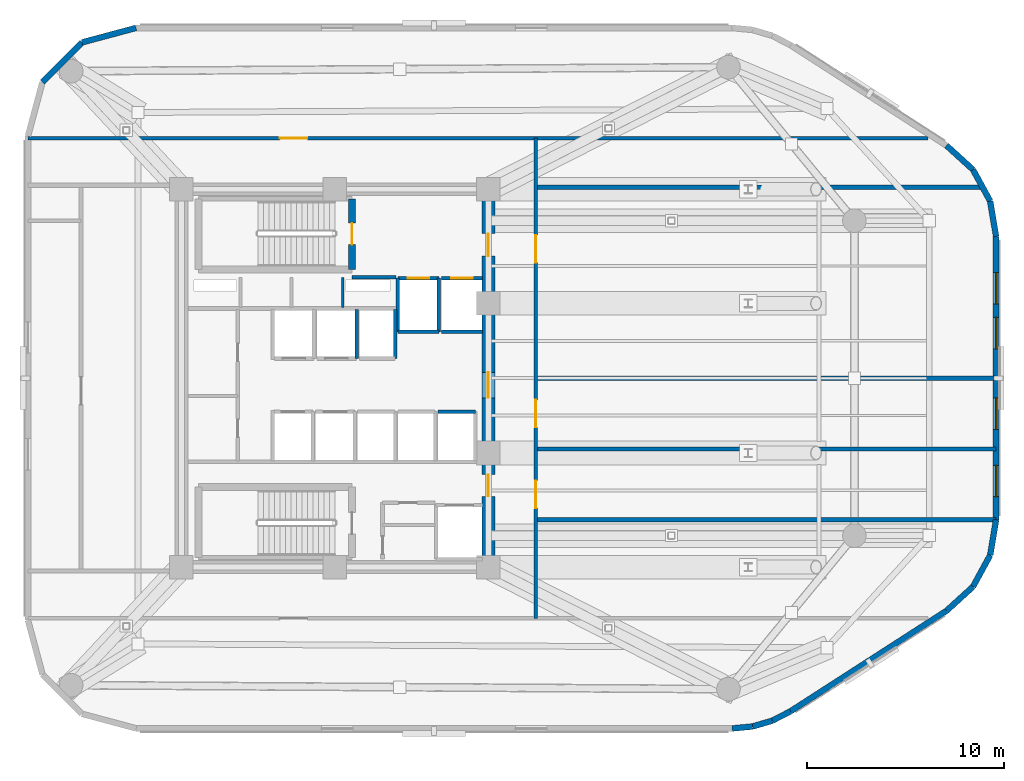
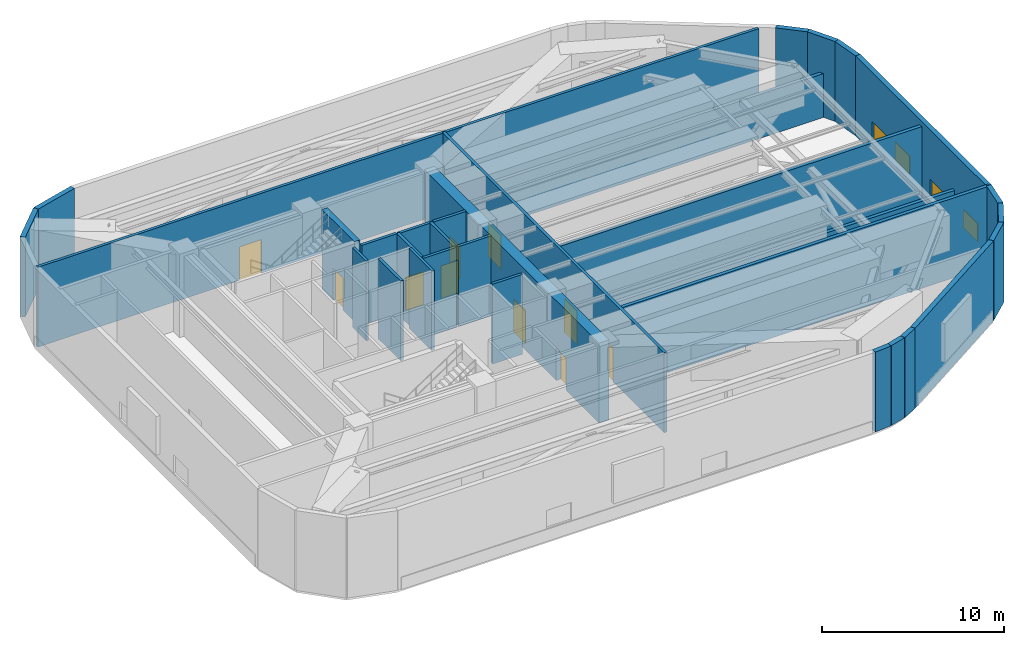
# One storey, part 6 of 9: 32 walls, 10 doors, 4 windows, 14 openings.
"""IFC4 building model written with IfcOpenShell, lengths in metres."""

from ifc_helpers import new_model, si_unit, direction, frame, frame_2d, origin, place, context, subcontext, project, spatial, rectangle, extrude, material, layer, layer_set, type_object, element, fill, save


model = new_model("IFC4")

# Units and contexts
model_context = context("Model", 3, precision=1e-05, world=origin(), true_north=direction((0.0, 1.0)))
body_context = subcontext(model_context, "Body", "Model", "MODEL_VIEW")
ifc_project = project(units=[si_unit("LENGTHUNIT", "METRE"), si_unit("AREAUNIT", "SQUARE_METRE"), si_unit("VOLUMEUNIT", "CUBIC_METRE"), si_unit("PLANEANGLEUNIT", "RADIAN"), si_unit("MASSUNIT", "GRAM", prefix="KILO")], contexts=[model_context])

# Site, building, storey
site_placement = place(None, origin())
site = spatial("IfcSite", under=ifc_project, at=site_placement, CompositionType="ELEMENT")
building_placement = place(site_placement, origin())
building = spatial("IfcBuilding", under=site, at=building_placement, Name="An Khanh Terracotta Commons", CompositionType="ELEMENT")
storey_placement = place(building_placement, frame((0.0, 0.0, 190.60009765625)))
storey = spatial("IfcBuildingStorey", under=building, at=storey_placement, Name="L50", CompositionType="ELEMENT", Elevation=190.60009765625)

# Wall, openings, doors
ifc_material_1 = material(Name="Concrete C60/75", Category="concrete")
ifc_layer_1 = layer(ifc_material_1, 0.64990234375, Name="Concrete C60/75")
ifc_layer_set_1 = layer_set([ifc_layer_1], Name="Concrete C60/75")
wall_type_1 = type_object("IfcWallType", Name="WALL-CORE-650", PredefinedType="SHEAR", material=ifc_layer_set_1)
wall_1_placement = place(storey_placement, frame((37.199951171875, 14.39990234375, 0.0), z_axis=(0.0, 0.0, 1.0), x_axis=(0.0, 1.0, 0.0)))
wall_1 = element("IfcWall", 1, at=wall_1_placement, inside=storey, type_object=wall_type_1, Name="L50 Core Wall CWALL-L50-E", PredefinedType="SHEAR", context=body_context, shape_type="SweptSolid", body=[
    extrude(rectangle(XDim=19.2001953125, YDim=0.64990234375, at=frame_2d((9.60009765625, 0.0))), origin(), (0.0, 0.0, 1.0), 5.35986328125),
])
opening_1_placement = place(wall_1_placement, frame((15.800048828125, 0.0, 0.0)))
opening_1 = element("IfcOpeningElement", 2, at=opening_1_placement, cuts=wall_1, Name="Opening D-FFL", PredefinedType="OPENING", context=body_context, shape_type="SweptSolid", body=[
    extrude(rectangle(XDim=1.14990234375, YDim=2.14990234375, at=frame_2d((0.574951171875, 1.074951171875))), frame((0.0, 0.3349609375, 0.0), z_axis=(0.0, -1.0, 0.0), x_axis=(1.0, 0.0, 0.0)), (0.0, 0.0, 1.0), 0.669921875),
])
opening_2_placement = place(wall_1_placement, frame((3.60009765625, 0.0, 0.0)))
opening_2 = element("IfcOpeningElement", 3, at=opening_2_placement, cuts=wall_1, Name="Opening D-ST", PredefinedType="OPENING", context=body_context, shape_type="SweptSolid", body=[
    extrude(rectangle(XDim=1.10009765625, YDim=2.14990234375, at=frame_2d((0.550048828125, 1.074951171875))), frame((0.0, 0.3349609375, 0.0), z_axis=(0.0, -1.0, 0.0), x_axis=(1.0, 0.0, 0.0)), (0.0, 0.0, 1.0), 0.669921875),
])
opening_3_placement = place(wall_1_placement, frame((8.60009765625, 0.0, 0.0)))
opening_3 = element("IfcOpeningElement", 4, at=opening_3_placement, cuts=wall_1, Name="Opening D-COR", PredefinedType="OPENING", context=body_context, shape_type="SweptSolid", body=[
    extrude(rectangle(XDim=1.300048828125, YDim=2.199951171875, at=frame_2d((0.64990234375, 1.10009765625))), frame((0.0, 0.3349609375, 0.0), z_axis=(0.0, -1.0, 0.0), x_axis=(1.0, 0.0, 0.0)), (0.0, 0.0, 1.0), 0.669921875),
])
ifc_material_2 = material(Name="Fire-Rated Glazed Steel Double Door", Category="steel")
door_type_1 = type_object("IfcDoorType", Name="DOOR-CORR-1300", OperationType="NOTDEFINED", PredefinedType="DOOR", material=ifc_material_2)
door_1_placement = place(opening_3_placement, origin())
door_1 = element("IfcDoor", 5, at=door_1_placement, inside=storey, type_object=door_type_1, Name="L50 Passenger Lift Lobby Double Door", OperationType="DOUBLE_DOOR_SINGLE_SWING", OverallHeight=2.199951171875, OverallWidth=1.300048828125, PredefinedType="DOOR", context=body_context, shape_type="SweptSolid", body=[
    extrude(rectangle(XDim=1.300048828125, YDim=2.199951171875, at=frame_2d((0.64990234375, 1.10009765625))), frame((0.0, 0.02490234375, 0.0), z_axis=(0.0, -1.0, 0.0), x_axis=(1.0, 0.0, 0.0)), (0.0, 0.0, 1.0), 0.050048828125),
])
fill(opening_3, door_1)
ifc_material_3 = material(Name="Fire-Rated Steel Leaf and Vision Panel", Category="steel")
door_type_2 = type_object("IfcDoorType", Name="DOOR-FFL-1150", OperationType="NOTDEFINED", PredefinedType="DOOR", material=ifc_material_3)
door_2_placement = place(opening_1_placement, origin())
door_2 = element("IfcDoor", 6, at=door_2_placement, inside=storey, type_object=door_type_2, Name="L50 Firefighting Lift Lobby Fire Door", OperationType="SINGLE_SWING_RIGHT", OverallHeight=2.14990234375, OverallWidth=1.14990234375, PredefinedType="DOOR", context=body_context, shape_type="SweptSolid", body=[
    extrude(rectangle(XDim=1.14990234375, YDim=2.14990234375, at=frame_2d((0.574951171875, 1.074951171875))), frame((0.0, 0.02490234375, 0.0), z_axis=(0.0, -1.0, 0.0), x_axis=(1.0, 0.0, 0.0)), (0.0, 0.0, 1.0), 0.050048828125),
])
fill(opening_1, door_2)
ifc_material_4 = material(Name="Fire-Rated Steel Leaf and Frame", Category="steel")
door_type_3 = type_object("IfcDoorType", Name="DOOR-STAIR-1100", OperationType="NOTDEFINED", PredefinedType="DOOR", material=ifc_material_4)
door_3_placement = place(opening_2_placement, origin())
door_3 = element("IfcDoor", 7, at=door_3_placement, inside=storey, type_object=door_type_3, Name="L50 South Stair Lobby Fire Door", OperationType="SINGLE_SWING_LEFT", OverallHeight=2.14990234375, OverallWidth=1.10009765625, PredefinedType="DOOR", context=body_context, shape_type="SweptSolid", body=[
    extrude(rectangle(XDim=1.10009765625, YDim=2.14990234375, at=frame_2d((0.550048828125, 1.074951171875))), frame((0.0, 0.02490234375, 0.0), z_axis=(0.0, -1.0, 0.0), x_axis=(1.0, 0.0, 0.0)), (0.0, 0.0, 1.0), 0.050048828125),
])
fill(opening_2, door_3)

# Wall
ifc_material_5 = material(Name="Fire-Rated Gypsum Board on Steel Stud", Category="steel")
ifc_layer_2 = layer(ifc_material_5, 0.179931640625, Name="Fire-Rated Gypsum Board on Steel Stud")
ifc_layer_set_2 = layer_set([ifc_layer_2], Name="Fire-Rated Gypsum Board on Steel Stud")
wall_type_2 = type_object("IfcWallType", Name="WALL-CORR-180", PredefinedType="PARTITIONING", material=ifc_layer_set_2)
wall_2_placement = place(storey_placement, frame((30.27001953125, 29.1201171875, 0.0), z_axis=(0.0, 0.0, 1.0), x_axis=(1.0, 0.0, 0.0)))
element("IfcWall", 8, at=wall_2_placement, inside=storey, type_object=wall_type_2, Name="L50 Core Wall FFLW-L50-S", PredefinedType="PARTITIONING", context=body_context, shape_type="SweptSolid", body=[
    extrude(rectangle(XDim=2.239990234375, YDim=0.179931640625, at=frame_2d((1.1201171875, 0.0))), origin(), (0.0, 0.0, 1.0), 5.35986328125),
])

# Wall, opening, door
wall_3_placement = place(storey_placement, frame((32.60009765625, 29.080078125, 0.0), z_axis=(0.0, 0.0, 1.0), x_axis=(1.0, 0.0, 0.0)))
wall_3 = element("IfcWall", 9, at=wall_3_placement, inside=storey, type_object=wall_type_2, Name="L50 Core Wall LSH-L50-FFL-01-N", PredefinedType="PARTITIONING", context=body_context, shape_type="SweptSolid", body=[
    extrude(rectangle(XDim=2.079833984375, YDim=0.179931640625, at=frame_2d((1.0400390625, 0.0))), origin(), (0.0, 0.0, 1.0), 5.35986328125),
])
opening_4_placement = place(wall_3_placement, frame((0.489990234375, 0.0, 0.0)))
opening_4 = element("IfcOpeningElement", 10, at=opening_4_placement, cuts=wall_3, Name="Opening LD-FFL-01-L50", PredefinedType="OPENING", context=body_context, shape_type="SweptSolid", body=[
    extrude(rectangle(XDim=1.10009765625, YDim=2.199951171875, at=frame_2d((0.550048828125, 1.10009765625))), frame((0.0, 0.099853515625, 0.0), z_axis=(0.0, -1.0, 0.0), x_axis=(1.0, 0.0, 0.0)), (0.0, 0.0, 1.0), 0.199951171875),
])
ifc_material_6 = material(Name="Brushed Stainless Steel Fire Landing Door", Category="steel")
door_type_4 = type_object("IfcDoorType", Name="DOOR-LD-FFL-1100", OperationType="NOTDEFINED", PredefinedType="DOOR", material=ifc_material_6)
door_4_placement = place(opening_4_placement, origin())
door_4 = element("IfcDoor", 11, at=door_4_placement, inside=storey, type_object=door_type_4, Name="L50 Lift FFL-01 Sliding Landing Door", OperationType="DOUBLE_DOOR_SLIDING", OverallHeight=2.199951171875, OverallWidth=1.10009765625, PredefinedType="DOOR", context=body_context, shape_type="SweptSolid", body=[
    extrude(rectangle(XDim=1.10009765625, YDim=2.199951171875, at=frame_2d((0.550048828125, 1.10009765625))), frame((0.0, 0.02490234375, 0.0), z_axis=(0.0, -1.0, 0.0), x_axis=(1.0, 0.0, 0.0)), (0.0, 0.0, 1.0), 0.050048828125),
])
fill(opening_4, door_4)

# Walls
wall_4_placement = place(storey_placement, frame((34.679931640625, 26.35009765625, 0.0), z_axis=(0.0, 0.0, 1.0), x_axis=(-1.0, 0.0, 0.0)))
element("IfcWall", 12, at=wall_4_placement, inside=storey, type_object=wall_type_2, Name="L50 Core Wall LSH-L50-FFL-01-S", PredefinedType="PARTITIONING", context=body_context, shape_type="SweptSolid", body=[
    extrude(rectangle(XDim=2.079833984375, YDim=0.179931640625, at=frame_2d((1.0400390625, 0.0))), origin(), (0.0, 0.0, 1.0), 5.35986328125),
])
for number, where, z_axis, x_axis, name in (
    (13, (34.679931640625, 26.35009765625, 0.0), (0.0, 0.0, 1.0), (0.0, 1.0, 0.0), "L50 Core Wall LSH-L50-FFL-01-E"),
    (14, (32.60009765625, 29.080078125, 0.0), (0.0, 0.0, 1.0), (0.0, -1.0, 0.0), "L50 Core Wall LSH-L50-FFL-01-W"),
):
    element("IfcWall", number, at=place(storey_placement, frame(where, z_axis=z_axis, x_axis=x_axis)), inside=storey, type_object=wall_type_2, Name=name, PredefinedType="PARTITIONING", context=body_context, shape_type="SweptSolid", body=[
        extrude(rectangle(XDim=2.72998046875, YDim=0.179931640625, at=frame_2d((1.364990234375, 0.0))), origin(), (0.0, 0.0, 1.0), 5.35986328125),
    ])

# Wall, opening, door
wall_5_placement = place(storey_placement, frame((34.820068359375, 29.080078125, 0.0), z_axis=(0.0, 0.0, 1.0), x_axis=(1.0, 0.0, 0.0)))
wall_5 = element("IfcWall", 15, at=wall_5_placement, inside=storey, type_object=wall_type_2, Name="L50 Core Wall LSH-L50-FFL-02-N", PredefinedType="PARTITIONING", context=body_context, shape_type="SweptSolid", body=[
    extrude(rectangle(XDim=2.079833984375, YDim=0.179931640625, at=frame_2d((1.0400390625, 0.0))), origin(), (0.0, 0.0, 1.0), 5.35986328125),
])
opening_5_placement = place(wall_5_placement, frame((0.489990234375, 0.0, 0.0)))
opening_5 = element("IfcOpeningElement", 16, at=opening_5_placement, cuts=wall_5, Name="Opening LD-FFL-02-L50", PredefinedType="OPENING", context=body_context, shape_type="SweptSolid", body=[
    extrude(rectangle(XDim=1.10009765625, YDim=2.199951171875, at=frame_2d((0.550048828125, 1.10009765625))), frame((0.0, 0.099853515625, 0.0), z_axis=(0.0, -1.0, 0.0), x_axis=(1.0, 0.0, 0.0)), (0.0, 0.0, 1.0), 0.199951171875),
])
door_5_placement = place(opening_5_placement, origin())
door_5 = element("IfcDoor", 17, at=door_5_placement, inside=storey, type_object=door_type_4, Name="L50 Lift FFL-02 Sliding Landing Door", OperationType="DOUBLE_DOOR_SLIDING", OverallHeight=2.199951171875, OverallWidth=1.10009765625, PredefinedType="DOOR", context=body_context, shape_type="SweptSolid", body=[
    extrude(rectangle(XDim=1.10009765625, YDim=2.199951171875, at=frame_2d((0.550048828125, 1.10009765625))), frame((0.0, 0.02490234375, 0.0), z_axis=(0.0, -1.0, 0.0), x_axis=(1.0, 0.0, 0.0)), (0.0, 0.0, 1.0), 0.050048828125),
])
fill(opening_5, door_5)

# Walls
wall_6_placement = place(storey_placement, frame((36.89990234375, 26.35009765625, 0.0), z_axis=(0.0, 0.0, 1.0), x_axis=(-1.0, 0.0, 0.0)))
element("IfcWall", 18, at=wall_6_placement, inside=storey, type_object=wall_type_2, Name="L50 Core Wall LSH-L50-FFL-02-S", PredefinedType="PARTITIONING", context=body_context, shape_type="SweptSolid", body=[
    extrude(rectangle(XDim=2.079833984375, YDim=0.179931640625, at=frame_2d((1.0400390625, 0.0))), origin(), (0.0, 0.0, 1.0), 5.35986328125),
])
for number, where, z_axis, x_axis, name in (
    (19, (30.5, 25.0, 0.0), (0.0, 0.0, 1.0), (0.0, 1.0, 0.0), "L50 Core Wall LSH-L50-PL-M2-E"),
    (20, (32.4599609375, 25.0, 0.0), (0.0, 0.0, 1.0), (0.0, 1.0, 0.0), "L50 Core Wall LSH-L50-PL-H1-E"),
):
    element("IfcWall", number, at=place(storey_placement, frame(where, z_axis=z_axis, x_axis=x_axis)), inside=storey, type_object=wall_type_2, Name=name, PredefinedType="PARTITIONING", context=body_context, shape_type="SweptSolid", body=[
        extrude(rectangle(XDim=2.5, YDim=0.179931640625, at=frame_2d((1.25, 0.0))), origin(), (0.0, 0.0, 1.0), 5.35986328125),
    ])
wall_7_placement = place(storey_placement, frame((34.639892578125, 22.300048828125, 0.0), z_axis=(0.0, 0.0, 1.0), x_axis=(1.0, 0.0, 0.0)))
element("IfcWall", 21, at=wall_7_placement, inside=storey, type_object=wall_type_2, Name="L50 Core Wall LSH-L50-PL-H4-N", PredefinedType="PARTITIONING", context=body_context, shape_type="SweptSolid", body=[
    extrude(rectangle(XDim=1.900146484375, YDim=0.179931640625, at=frame_2d((0.9501953125, 0.0))), origin(), (0.0, 0.0, 1.0), 5.35986328125),
])

# Wall, opening, door
wall_8_placement = place(storey_placement, frame((13.800048828125, 36.199951171875, 0.0), z_axis=(0.0, 0.0, 1.0), x_axis=(1.0, 0.0, 0.0)))
wall_8 = element("IfcWall", 22, at=wall_8_placement, inside=storey, type_object=wall_type_2, Name="L50 Interior Partition IW-L50-E009", PredefinedType="PARTITIONING", context=body_context, shape_type="SweptSolid", body=[
    extrude(rectangle(XDim=45.75, YDim=0.179931640625, at=frame_2d((22.875, 0.0))), origin(), (0.0, 0.0, 1.0), 5.35986328125),
])
opening_6_placement = place(wall_8_placement, frame((12.800048828125, 0.0, 0.0)))
opening_6 = element("IfcOpeningElement", 23, at=opening_6_placement, cuts=wall_8, Name="Opening D-PL", PredefinedType="OPENING", context=body_context, shape_type="SweptSolid", body=[
    extrude(rectangle(XDim=1.39990234375, YDim=2.25, at=frame_2d((0.699951171875, 1.125))), frame((0.0, 0.099853515625, 0.0), z_axis=(0.0, -1.0, 0.0), x_axis=(1.0, 0.0, 0.0)), (0.0, 0.0, 1.0), 0.199951171875),
])
ifc_material_7 = material(Name="Heavy-Duty Acoustic Steel Double Plant Door", Category="steel")
door_type_5 = type_object("IfcDoorType", Name="DOOR-PLANT-1400", OperationType="NOTDEFINED", PredefinedType="DOOR", material=ifc_material_7)
door_6_placement = place(opening_6_placement, origin())
door_6 = element("IfcDoor", 24, at=door_6_placement, inside=storey, type_object=door_type_5, Name="L50 REFN North Pressurised Refuge Area Door", OperationType="DOUBLE_DOOR_SINGLE_SWING", OverallHeight=2.25, OverallWidth=1.39990234375, PredefinedType="DOOR", context=body_context, shape_type="SweptSolid", body=[
    extrude(rectangle(XDim=1.39990234375, YDim=2.25, at=frame_2d((0.699951171875, 1.125))), frame((0.0, 0.02490234375, 0.0), z_axis=(0.0, -1.0, 0.0), x_axis=(1.0, 0.0, 0.0)), (0.0, 0.0, 1.0), 0.050048828125),
])
fill(opening_6, door_6)

# Wall, openings, doors
wall_9_placement = place(storey_placement, frame((39.60009765625, 11.800048828125, 0.0), z_axis=(0.0, 0.0, 1.0), x_axis=(0.0, 1.0, 0.0)))
wall_9 = element("IfcWall", 25, at=wall_9_placement, inside=storey, type_object=wall_type_2, Name="L50 Interior Partition IW-L50-E011", PredefinedType="PARTITIONING", context=body_context, shape_type="SweptSolid", body=[
    extrude(rectangle(XDim=24.39990234375, YDim=0.179931640625, at=frame_2d((12.199951171875, 0.0))), origin(), (0.0, 0.0, 1.0), 5.35986328125),
])
opening_7_placement = place(wall_9_placement, frame((18.070068359375, 0.0, 0.0)))
opening_7 = element("IfcOpeningElement", 26, at=opening_7_placement, cuts=wall_9, Name="Opening D-PL", PredefinedType="OPENING", context=body_context, shape_type="SweptSolid", body=[
    extrude(rectangle(XDim=1.39990234375, YDim=2.25, at=frame_2d((0.699951171875, 1.125))), frame((0.0, 0.099853515625, 0.0), z_axis=(0.0, -1.0, 0.0), x_axis=(1.0, 0.0, 0.0)), (0.0, 0.0, 1.0), 0.199951171875),
])
opening_8_placement = place(wall_9_placement, frame((5.60009765625, 0.0, 0.0)))
opening_8 = element("IfcOpeningElement", 27, at=opening_8_placement, cuts=wall_9, Name="Opening D-PL", PredefinedType="OPENING", context=body_context, shape_type="SweptSolid", body=[
    extrude(rectangle(XDim=1.39990234375, YDim=2.25, at=frame_2d((0.699951171875, 1.125))), frame((0.0, 0.099853515625, 0.0), z_axis=(0.0, -1.0, 0.0), x_axis=(1.0, 0.0, 0.0)), (0.0, 0.0, 1.0), 0.199951171875),
])
opening_9_placement = place(wall_9_placement, frame((9.699951171875, 0.0, 0.0)))
opening_9 = element("IfcOpeningElement", 28, at=opening_9_placement, cuts=wall_9, Name="Opening D-PL", PredefinedType="OPENING", context=body_context, shape_type="SweptSolid", body=[
    extrude(rectangle(XDim=1.39990234375, YDim=2.25, at=frame_2d((0.699951171875, 1.125))), frame((0.0, 0.099853515625, 0.0), z_axis=(0.0, -1.0, 0.0), x_axis=(1.0, 0.0, 0.0)), (0.0, 0.0, 1.0), 0.199951171875),
])
door_7_placement = place(opening_7_placement, origin())
door_7 = element("IfcDoor", 29, at=door_7_placement, inside=storey, type_object=door_type_5, Name="L50 AHU Supply Ventilation AHU Plant Room Door", OperationType="DOUBLE_DOOR_SINGLE_SWING", OverallHeight=2.25, OverallWidth=1.39990234375, PredefinedType="DOOR", context=body_context, shape_type="SweptSolid", body=[
    extrude(rectangle(XDim=1.39990234375, YDim=2.25, at=frame_2d((0.699951171875, 1.125))), frame((0.0, 0.02490234375, 0.0), z_axis=(0.0, -1.0, 0.0), x_axis=(1.0, 0.0, 0.0)), (0.0, 0.0, 1.0), 0.050048828125),
])
fill(opening_7, door_7)
door_8_placement = place(opening_8_placement, origin())
door_8 = element("IfcDoor", 30, at=door_8_placement, inside=storey, type_object=door_type_5, Name="L50 CHX Chilled-Water Chiller and Pump Plant Room Door", OperationType="DOUBLE_DOOR_SINGLE_SWING", OverallHeight=2.25, OverallWidth=1.39990234375, PredefinedType="DOOR", context=body_context, shape_type="SweptSolid", body=[
    extrude(rectangle(XDim=1.39990234375, YDim=2.25, at=frame_2d((0.699951171875, 1.125))), frame((0.0, 0.02490234375, 0.0), z_axis=(0.0, -1.0, 0.0), x_axis=(1.0, 0.0, 0.0)), (0.0, 0.0, 1.0), 0.050048828125),
])
fill(opening_8, door_8)
door_9_placement = place(opening_9_placement, origin())
door_9 = element("IfcDoor", 31, at=door_9_placement, inside=storey, type_object=door_type_5, Name="L50 ELP Zone Electrical Switchroom Door", OperationType="DOUBLE_DOOR_SINGLE_SWING", OverallHeight=2.25, OverallWidth=1.39990234375, PredefinedType="DOOR", context=body_context, shape_type="SweptSolid", body=[
    extrude(rectangle(XDim=1.39990234375, YDim=2.25, at=frame_2d((0.699951171875, 1.125))), frame((0.0, 0.02490234375, 0.0), z_axis=(0.0, -1.0, 0.0), x_axis=(1.0, 0.0, 0.0)), (0.0, 0.0, 1.0), 0.050048828125),
])
fill(opening_9, door_9)

# Walls
ifc_material_8 = material(Name="Precast concrete C40/50", Category="concrete")
ifc_layer_3 = layer(ifc_material_8, 0.300048828125, Name="Precast concrete C40/50")
ifc_layer_set_3 = layer_set([ifc_layer_3], Name="Precast concrete C40/50")
wall_type_3 = type_object("IfcWallType", Name="WALL-EXT-300", PredefinedType="SOLIDWALL", material=ifc_layer_set_3)
wall_10_placement = place(storey_placement, frame((49.58203125, 6.199951171875, 0.0), z_axis=(0.0, 0.0, 1.0), x_axis=(0.995426089968, 0.095534807324, 0.0)))
element("IfcWall", 32, at=wall_10_placement, inside=storey, type_object=wall_type_3, Name="L50 Insulated Terracotta Exterior Wall 5", PredefinedType="SOLIDWALL", context=body_context, shape_type="SweptSolid", body=[
    extrude(rectangle(XDim=1.0478515625, YDim=0.300048828125, at=frame_2d((0.52392578125, 0.0))), origin(), (0.0, 0.0, 1.0), 5.35986328125),
])
wall_11_placement = place(storey_placement, frame((50.625, 6.300048828125, 0.0), z_axis=(0.0, 0.0, 1.0), x_axis=(0.959528674476, 0.281610942363, 0.0)))
element("IfcWall", 33, at=wall_11_placement, inside=storey, type_object=wall_type_3, Name="L50 Insulated Terracotta Exterior Wall 6", PredefinedType="SOLIDWALL", context=body_context, shape_type="SweptSolid", body=[
    extrude(rectangle(XDim=1.04736328125, YDim=0.300048828125, at=frame_2d((0.523681640625, 0.0))), origin(), (0.0, 0.0, 1.0), 5.35986328125),
])
wall_12_placement = place(storey_placement, frame((51.6298828125, 6.594970703125, 0.0), z_axis=(0.0, 0.0, 1.0), x_axis=(0.888283247196, 0.459296062198, 0.0)))
element("IfcWall", 34, at=wall_12_placement, inside=storey, type_object=wall_type_3, Name="L50 Insulated Terracotta Exterior Wall 7", PredefinedType="SOLIDWALL", context=body_context, shape_type="SweptSolid", body=[
    extrude(rectangle(XDim=1.047119140625, YDim=0.300048828125, at=frame_2d((0.5234375, 0.0))), origin(), (0.0, 0.0, 1.0), 5.35986328125),
])
wall_13_placement = place(storey_placement, frame((52.56005859375, 7.075927734375, 0.0), z_axis=(0.0, 0.0, 1.0), x_axis=(0.840696388796, 0.541506769917, 0.0)))
element("IfcWall", 35, at=wall_13_placement, inside=storey, type_object=wall_type_3, Name="L50 Insulated Terracotta Exterior Wall 8", PredefinedType="SOLIDWALL", context=body_context, shape_type="SweptSolid", body=[
    extrude(rectangle(XDim=9.41845703125, YDim=0.300048828125, at=frame_2d((4.709228515625, 0.0))), origin(), (0.0, 0.0, 1.0), 5.35986328125),
])
wall_14_placement = place(storey_placement, frame((60.47802734375, 12.176025390625, 0.0), z_axis=(0.0, 0.0, 1.0), x_axis=(0.73947929393, 0.673179302897, 0.0)))
element("IfcWall", 36, at=wall_14_placement, inside=storey, type_object=wall_type_3, Name="L50 Insulated Terracotta Exterior Wall 9", PredefinedType="SOLIDWALL", context=body_context, shape_type="SweptSolid", body=[
    extrude(rectangle(XDim=1.82275390625, YDim=0.300048828125, at=frame_2d((0.911376953125, 0.0))), origin(), (0.0, 0.0, 1.0), 5.35986328125),
])
wall_15_placement = place(storey_placement, frame((61.825927734375, 13.403076171875, 0.0), z_axis=(0.0, 0.0, 1.0), x_axis=(0.478608030646, 0.878028674362, 0.0)))
element("IfcWall", 37, at=wall_15_placement, inside=storey, type_object=wall_type_3, Name="L50 Insulated Terracotta Exterior Wall 10", PredefinedType="SOLIDWALL", context=body_context, shape_type="SweptSolid", body=[
    extrude(rectangle(XDim=1.822021484375, YDim=0.300048828125, at=frame_2d((0.9111328125, 0.0))), origin(), (0.0, 0.0, 1.0), 5.35986328125),
])
wall_16_placement = place(storey_placement, frame((62.697998046875, 15.0029296875, 0.0), z_axis=(0.0, 0.0, 1.0), x_axis=(0.165724081207, 0.986172159873, 0.0)))
element("IfcWall", 38, at=wall_16_placement, inside=storey, type_object=wall_type_3, Name="L50 Insulated Terracotta Exterior Wall 11", PredefinedType="SOLIDWALL", context=body_context, shape_type="SweptSolid", body=[
    extrude(rectangle(XDim=1.822265625, YDim=0.300048828125, at=frame_2d((0.9111328125, 0.0))), origin(), (0.0, 0.0, 1.0), 5.35986328125),
])

# Wall, openings, windows
wall_17_placement = place(storey_placement, frame((63.0, 16.800048828125, 0.0), z_axis=(0.0, 0.0, 1.0), x_axis=(0.0, 1.0, 0.0)))
wall_17 = element("IfcWall", 39, at=wall_17_placement, inside=storey, type_object=wall_type_3, Name="L50 Insulated Terracotta Exterior Wall 12", PredefinedType="SOLIDWALL", context=body_context, shape_type="SweptSolid", body=[
    extrude(rectangle(XDim=14.39990234375, YDim=0.300048828125, at=frame_2d((7.199951171875, 0.0))), origin(), (0.0, 0.0, 1.0), 5.35986328125),
])
opening_10_placement = place(wall_17_placement, frame((1.175048828125, 0.0, 0.85009765625)))
opening_10 = element("IfcOpeningElement", 40, at=opening_10_placement, cuts=wall_17, Name="Opening W-12", PredefinedType="OPENING", context=body_context, shape_type="SweptSolid", body=[
    extrude(rectangle(XDim=1.60009765625, YDim=1.199951171875, at=frame_2d((0.800048828125, 0.60009765625))), frame((0.0, 0.159912109375, 0.0), z_axis=(0.0, -1.0, 0.0), x_axis=(1.0, 0.0, 0.0)), (0.0, 0.0, 1.0), 0.320068359375),
])
opening_11_placement = place(wall_17_placement, frame((4.60009765625, 0.0, 0.85009765625)))
opening_11 = element("IfcOpeningElement", 41, at=opening_11_placement, cuts=wall_17, Name="Opening W-12", PredefinedType="OPENING", context=body_context, shape_type="SweptSolid", body=[
    extrude(rectangle(XDim=1.60009765625, YDim=1.199951171875, at=frame_2d((0.800048828125, 0.60009765625))), frame((0.0, 0.159912109375, 0.0), z_axis=(0.0, -1.0, 0.0), x_axis=(1.0, 0.0, 0.0)), (0.0, 0.0, 1.0), 0.320068359375),
])
opening_12_placement = place(wall_17_placement, frame((8.68310546875, 0.0, 0.85009765625)))
opening_12 = element("IfcOpeningElement", 42, at=opening_12_placement, cuts=wall_17, Name="Opening W-12", PredefinedType="OPENING", context=body_context, shape_type="SweptSolid", body=[
    extrude(rectangle(XDim=1.60009765625, YDim=1.199951171875, at=frame_2d((0.800048828125, 0.60009765625))), frame((0.0, 0.159912109375, 0.0), z_axis=(0.0, -1.0, 0.0), x_axis=(1.0, 0.0, 0.0)), (0.0, 0.0, 1.0), 0.320068359375),
])
opening_13_placement = place(wall_17_placement, frame((10.967041015625, 0.0, 0.85009765625)))
opening_13 = element("IfcOpeningElement", 43, at=opening_13_placement, cuts=wall_17, Name="Opening W-12", PredefinedType="OPENING", context=body_context, shape_type="SweptSolid", body=[
    extrude(rectangle(XDim=1.60009765625, YDim=1.199951171875, at=frame_2d((0.800048828125, 0.60009765625))), frame((0.0, 0.159912109375, 0.0), z_axis=(0.0, -1.0, 0.0), x_axis=(1.0, 0.0, 0.0)), (0.0, 0.0, 1.0), 0.320068359375),
])
ifc_material_9 = material(Name="Thermally Broken Aluminium and Low-E Glass", Category="aluminium")
window_type = type_object("IfcWindowType", Name="WIN-REF-1600x1200", PartitioningType="DOUBLE_PANEL_VERTICAL", PredefinedType="WINDOW", material=ifc_material_9)
window_1_placement = place(opening_10_placement, origin())
window_1 = element("IfcWindow", 44, at=window_1_placement, inside=storey, type_object=window_type, Name="L50 Operable Casement Window 12.1", OverallHeight=1.199951171875, OverallWidth=1.60009765625, PartitioningType="DOUBLE_PANEL_VERTICAL", PredefinedType="WINDOW", context=body_context, shape_type="SweptSolid", body=[
    extrude(rectangle(XDim=1.60009765625, YDim=1.199951171875, at=frame_2d((0.800048828125, 0.60009765625))), frame((0.0, 0.030029296875, 0.0), z_axis=(0.0, -1.0, 0.0), x_axis=(1.0, 0.0, 0.0)), (0.0, 0.0, 1.0), 0.06005859375),
])
fill(opening_10, window_1)
window_2_placement = place(opening_11_placement, origin())
window_2 = element("IfcWindow", 45, at=window_2_placement, inside=storey, type_object=window_type, Name="L50 Operable Casement Window 12.2", OverallHeight=1.199951171875, OverallWidth=1.60009765625, PartitioningType="DOUBLE_PANEL_VERTICAL", PredefinedType="WINDOW", context=body_context, shape_type="SweptSolid", body=[
    extrude(rectangle(XDim=1.60009765625, YDim=1.199951171875, at=frame_2d((0.800048828125, 0.60009765625))), frame((0.0, 0.030029296875, 0.0), z_axis=(0.0, -1.0, 0.0), x_axis=(1.0, 0.0, 0.0)), (0.0, 0.0, 1.0), 0.06005859375),
])
fill(opening_11, window_2)
window_3_placement = place(opening_12_placement, origin())
window_3 = element("IfcWindow", 46, at=window_3_placement, inside=storey, type_object=window_type, Name="L50 Operable Casement Window 12.3", OverallHeight=1.199951171875, OverallWidth=1.60009765625, PartitioningType="DOUBLE_PANEL_VERTICAL", PredefinedType="WINDOW", context=body_context, shape_type="SweptSolid", body=[
    extrude(rectangle(XDim=1.60009765625, YDim=1.199951171875, at=frame_2d((0.800048828125, 0.60009765625))), frame((0.0, 0.030029296875, 0.0), z_axis=(0.0, -1.0, 0.0), x_axis=(1.0, 0.0, 0.0)), (0.0, 0.0, 1.0), 0.06005859375),
])
fill(opening_12, window_3)
window_4_placement = place(opening_13_placement, origin())
window_4 = element("IfcWindow", 47, at=window_4_placement, inside=storey, type_object=window_type, Name="L50 Operable Casement Window 12.4", OverallHeight=1.199951171875, OverallWidth=1.60009765625, PartitioningType="DOUBLE_PANEL_VERTICAL", PredefinedType="WINDOW", context=body_context, shape_type="SweptSolid", body=[
    extrude(rectangle(XDim=1.60009765625, YDim=1.199951171875, at=frame_2d((0.800048828125, 0.60009765625))), frame((0.0, 0.030029296875, 0.0), z_axis=(0.0, -1.0, 0.0), x_axis=(1.0, 0.0, 0.0)), (0.0, 0.0, 1.0), 0.06005859375),
])
fill(opening_13, window_4)

# Walls
wall_18_placement = place(storey_placement, frame((63.0, 31.199951171875, 0.0), z_axis=(0.0, 0.0, 1.0), x_axis=(-0.165724081207, 0.986172159873, 0.0)))
element("IfcWall", 48, at=wall_18_placement, inside=storey, type_object=wall_type_3, Name="L50 Insulated Terracotta Exterior Wall 13", PredefinedType="SOLIDWALL", context=body_context, shape_type="SweptSolid", body=[
    extrude(rectangle(XDim=1.822265625, YDim=0.300048828125, at=frame_2d((0.9111328125, 0.0))), origin(), (0.0, 0.0, 1.0), 5.35986328125),
])
wall_19_placement = place(storey_placement, frame((62.697998046875, 32.9970703125, 0.0), z_axis=(0.0, 0.0, 1.0), x_axis=(-0.478608030646, 0.878028674362, 0.0)))
element("IfcWall", 49, at=wall_19_placement, inside=storey, type_object=wall_type_3, Name="L50 Insulated Terracotta Exterior Wall 14", PredefinedType="SOLIDWALL", context=body_context, shape_type="SweptSolid", body=[
    extrude(rectangle(XDim=1.822021484375, YDim=0.300048828125, at=frame_2d((0.9111328125, 0.0))), origin(), (0.0, 0.0, 1.0), 5.35986328125),
])
wall_20_placement = place(storey_placement, frame((61.825927734375, 34.596923828125, 0.0), z_axis=(0.0, 0.0, 1.0), x_axis=(-0.73947929393, 0.673179302897, 0.0)))
element("IfcWall", 50, at=wall_20_placement, inside=storey, type_object=wall_type_3, Name="L50 Insulated Terracotta Exterior Wall 15", PredefinedType="SOLIDWALL", context=body_context, shape_type="SweptSolid", body=[
    extrude(rectangle(XDim=1.82275390625, YDim=0.300048828125, at=frame_2d((0.911376953125, 0.0))), origin(), (0.0, 0.0, 1.0), 5.35986328125),
])
wall_21_placement = place(storey_placement, frame((19.300048828125, 41.800048828125, 0.0), z_axis=(0.0, 0.0, 1.0), x_axis=(-0.965908238586, -0.258884674387, 0.0)))
element("IfcWall", 51, at=wall_21_placement, inside=storey, type_object=wall_type_3, Name="L50 Insulated Terracotta Exterior Wall 21", PredefinedType="SOLIDWALL", context=body_context, shape_type="SweptSolid", body=[
    extrude(rectangle(XDim=2.84716796875, YDim=0.300048828125, at=frame_2d((1.423583984375, 0.0))), origin(), (0.0, 0.0, 1.0), 5.35986328125),
])
wall_22_placement = place(storey_placement, frame((16.550048828125, 41.06298828125, 0.0), z_axis=(0.0, 0.0, 1.0), x_axis=(-0.707106781187, -0.707106781187, 0.0)))
element("IfcWall", 52, at=wall_22_placement, inside=storey, type_object=wall_type_3, Name="L50 Insulated Terracotta Exterior Wall 22", PredefinedType="SOLIDWALL", context=body_context, shape_type="SweptSolid", body=[
    extrude(rectangle(XDim=2.8466796875, YDim=0.300048828125, at=frame_2d((1.42333984375, 0.0))), origin(), (0.0, 0.0, 1.0), 5.35986328125),
])
ifc_material_10 = material(Name="Acoustic Gypsum Board Partition")
ifc_layer_4 = layer(ifc_material_10, 0.14990234375, Name="Acoustic Gypsum Board Partition")
ifc_layer_set_4 = layer_set([ifc_layer_4], Name="Acoustic Gypsum Board Partition")
wall_type_4 = type_object("IfcWallType", Name="WALL-PART-150", PredefinedType="PARTITIONING", material=ifc_layer_set_4)
wall_23_placement = place(storey_placement, frame((29.800048828125, 27.60009765625, 0.0), z_axis=(0.0, 0.0, 1.0), x_axis=(0.0, 1.0, 0.0)))
element("IfcWall", 53, at=wall_23_placement, inside=storey, type_object=wall_type_4, Name="L50 Core Wall RSRW-L50-D3", PredefinedType="PARTITIONING", context=body_context, shape_type="SweptSolid", body=[
    extrude(rectangle(XDim=1.52001953125, YDim=0.14990234375, at=frame_2d((0.760009765625, 0.0))), origin(), (0.0, 0.0, 1.0), 5.35986328125),
])
ifc_material_11 = material(Name="Acoustic Double-Stud Gypsum and Mineral Wool")
ifc_layer_5 = layer(ifc_material_11, 0.219970703125, Name="Acoustic Double-Stud Gypsum and Mineral Wool")
ifc_layer_set_5 = layer_set([ifc_layer_5], Name="Acoustic Double-Stud Gypsum and Mineral Wool")
wall_type_5 = type_object("IfcWallType", Name="WALL-PARTY-220", PredefinedType="PARTITIONING", material=ifc_layer_set_5)
wall_24_placement = place(storey_placement, frame((39.60009765625, 16.81396484375, 0.0), z_axis=(0.0, 0.0, 1.0), x_axis=(1.0, 0.0, 0.0)))
element("IfcWall", 54, at=wall_24_placement, inside=storey, type_object=wall_type_5, Name="L50 Interior Partition IW-L50-E003", PredefinedType="PARTITIONING", context=body_context, shape_type="SweptSolid", body=[
    extrude(rectangle(XDim=23.39990234375, YDim=0.219970703125, at=frame_2d((11.699951171875, 0.0))), origin(), (0.0, 0.0, 1.0), 5.35986328125),
])
wall_25_placement = place(storey_placement, frame((39.60009765625, 20.39990234375, 0.0), z_axis=(0.0, 0.0, 1.0), x_axis=(1.0, 0.0, 0.0)))
element("IfcWall", 55, at=wall_25_placement, inside=storey, type_object=wall_type_5, Name="L50 Interior Partition IW-L50-E004", PredefinedType="PARTITIONING", context=body_context, shape_type="SweptSolid", body=[
    extrude(rectangle(XDim=23.39990234375, YDim=0.219970703125, at=frame_2d((11.699951171875, 0.0))), origin(), (0.0, 0.0, 1.0), 2.94189453125),
])
wall_26_placement = place(storey_placement, frame((39.60009765625, 24.0, 0.0), z_axis=(0.0, 0.0, 1.0), x_axis=(1.0, 0.0, 0.0)))
element("IfcWall", 56, at=wall_26_placement, inside=storey, type_object=wall_type_5, Name="L50 Interior Partition IW-L50-E005", PredefinedType="PARTITIONING", context=body_context, shape_type="SweptSolid", body=[
    extrude(rectangle(XDim=23.39990234375, YDim=0.219970703125, at=frame_2d((11.699951171875, 0.0))), origin(), (0.0, 0.0, 1.0), 5.0419921875),
])
wall_27_placement = place(storey_placement, frame((39.60009765625, 33.699951171875, 0.0), z_axis=(0.0, 0.0, 1.0), x_axis=(1.0, 0.0, 0.0)))
element("IfcWall", 57, at=wall_27_placement, inside=storey, type_object=wall_type_5, Name="L50 Interior Partition IW-L50-E007", PredefinedType="PARTITIONING", context=body_context, shape_type="SweptSolid", body=[
    extrude(rectangle(XDim=22.71484375, YDim=0.219970703125, at=frame_2d((11.357421875, 0.0))), origin(), (0.0, 0.0, 1.0), 2.94189453125),
])

# Wall, opening, door
ifc_material_12 = material(Name="Concrete C50/60", Category="concrete")
ifc_layer_6 = layer(ifc_material_12, 0.35009765625, Name="Concrete C50/60")
ifc_layer_set_6 = layer_set([ifc_layer_6], Name="Concrete C50/60")
wall_type_6 = type_object("IfcWallType", Name="WALL-SHAFT-350", PredefinedType="SOLIDWALL", material=ifc_layer_set_6)
wall_28_placement = place(storey_placement, frame((30.27001953125, 29.530029296875, 0.0), z_axis=(0.0, 0.0, 1.0), x_axis=(0.0, 1.0, 0.0)))
wall_28 = element("IfcWall", 58, at=wall_28_placement, inside=storey, type_object=wall_type_6, Name="L50 Core Wall STW-L50-N-E", PredefinedType="SOLIDWALL", context=body_context, shape_type="SweptSolid", body=[
    extrude(rectangle(XDim=3.580078125, YDim=0.35009765625, at=frame_2d((1.7900390625, 0.0))), origin(), (0.0, 0.0, 1.0), 5.35986328125),
])
opening_14_placement = place(wall_28_placement, frame((1.25, 0.0, 0.0)))
opening_14 = element("IfcOpeningElement", 59, at=opening_14_placement, cuts=wall_28, Name="Opening D-ST", PredefinedType="OPENING", context=body_context, shape_type="SweptSolid", body=[
    extrude(rectangle(XDim=1.10009765625, YDim=2.14990234375, at=frame_2d((0.550048828125, 1.074951171875))), frame((0.0, 0.18505859375, 0.0), z_axis=(0.0, -1.0, 0.0), x_axis=(1.0, 0.0, 0.0)), (0.0, 0.0, 1.0), 0.3701171875),
])
door_10_placement = place(opening_14_placement, origin())
door_10 = element("IfcDoor", 60, at=door_10_placement, inside=storey, type_object=door_type_3, Name="L50 Stair ST-01 Fire Door", OperationType="SINGLE_SWING_RIGHT", OverallHeight=2.14990234375, OverallWidth=1.10009765625, PredefinedType="DOOR", context=body_context, shape_type="SweptSolid", body=[
    extrude(rectangle(XDim=1.10009765625, YDim=2.14990234375, at=frame_2d((0.550048828125, 1.074951171875))), frame((0.0, 0.02490234375, 0.0), z_axis=(0.0, -1.0, 0.0), x_axis=(1.0, 0.0, 0.0)), (0.0, 0.0, 1.0), 0.050048828125),
])
fill(opening_14, door_10)

save(model, "model.ifc")
